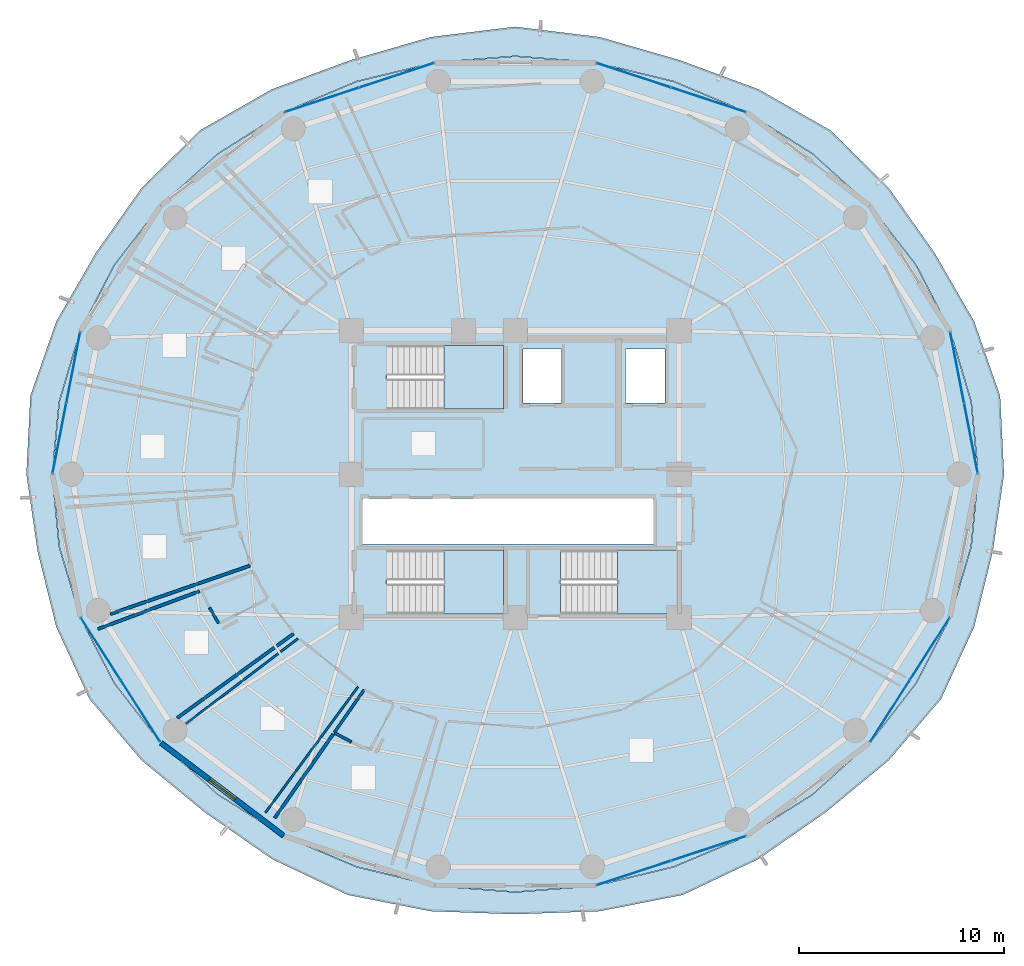
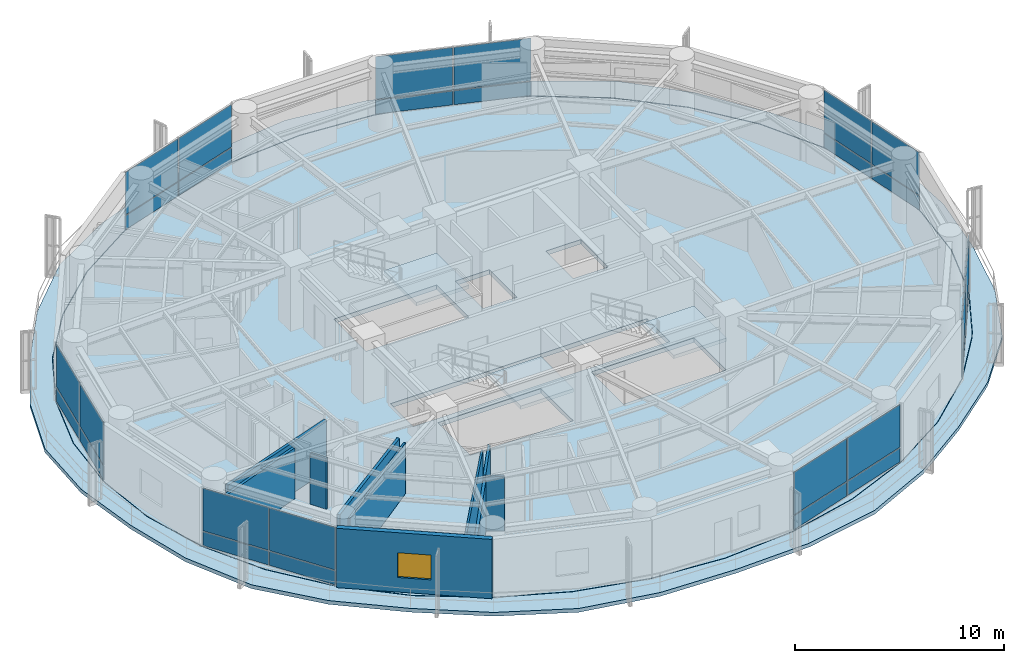
# One storey, part 20 of 27: 28 plates, 10 walls, 5 slabs, 1 window, 1 opening, 10 elements without a shape of their own.
"""IFC4 building model written with IfcOpenShell, lengths in metres."""

from ifc_helpers import new_model, si_unit, direction, frame, frame_2d, origin, origin_2d, place, context, subcontext, project, spatial, polyline, rectangle, outline, extrude, source, transform, mapped, material, layer, layer_set, type_object, element, fill, aggregate, save


model = new_model("IFC4")

# Units and contexts
model_context = context("Model", 3, precision=1e-05, world=origin(), true_north=direction((0.0, 1.0)))
body_context = subcontext(model_context, "Body", "Model", "MODEL_VIEW")
ifc_project = project(units=[si_unit("LENGTHUNIT", "METRE"), si_unit("AREAUNIT", "SQUARE_METRE"), si_unit("VOLUMEUNIT", "CUBIC_METRE"), si_unit("PLANEANGLEUNIT", "RADIAN"), si_unit("MASSUNIT", "GRAM", prefix="KILO")], contexts=[model_context])

# Site, building, storey
site_placement = place(None, origin())
site = spatial("IfcSite", under=ifc_project, at=site_placement, CompositionType="ELEMENT")
building_placement = place(site_placement, origin())
building = spatial("IfcBuilding", under=site, at=building_placement, Name="Kelanora Arch Commons", CompositionType="ELEMENT")
storey_placement = place(building_placement, frame((0.0, 0.0, 143.10009765625)))
storey = spatial("IfcBuildingStorey", under=building, at=storey_placement, Name="L36", CompositionType="ELEMENT", Elevation=143.10009765625)

# Stair, slab
ifc_material_1 = material(Name="Concrete C40/50", Category="concrete")
stair_type = type_object("IfcStairType", Name="STR-DL-375", PredefinedType="HALF_TURN_STAIR", material=ifc_material_1)
stair_1_placement = place(storey_placement, origin())
stair_1 = element("IfcStair", 1, at=stair_1_placement, inside=storey, type_object=stair_type, Name="L36 ST-T1", PredefinedType="HALF_TURN_STAIR")
ifc_layer_1 = layer(ifc_material_1, 0.199951171875)
ifc_layer_set_1 = layer_set([ifc_layer_1], Name="Concrete C40/50")
slab_type_1 = type_object("IfcSlabType", Name="SLB-STAIR-LND", PredefinedType="LANDING", material=ifc_layer_set_1)
slab_1_placement = place(storey_placement, frame((0.0, 0.0, 1.6748046875)))
slab_1 = element("IfcSlab", 2, at=slab_1_placement, type_object=slab_type_1, Name="ST-T1 landing 1", PredefinedType="LANDING", context=body_context, shape_type="SweptSolid", body=[
    extrude(outline(polyline([(70.52001953125, 61.179931640625), (73.43994140625, 61.179931640625), (73.43994140625, 64.2900390625), (70.52001953125, 64.2900390625), (70.52001953125, 61.179931640625)])), origin(), (0.0, 0.0, 1.0), 0.2001953125),
])
aggregate(stair_1, [slab_1])

stair_2_placement = place(storey_placement, origin())
stair_2 = element("IfcStair", 3, at=stair_2_placement, inside=storey, type_object=stair_type, Name="L36 ST-T2", PredefinedType="HALF_TURN_STAIR")
slab_2_placement = place(storey_placement, frame((0.0, 0.0, 1.6748046875)))
slab_2 = element("IfcSlab", 4, at=slab_2_placement, type_object=slab_type_1, Name="ST-T2 landing 1", PredefinedType="LANDING", context=body_context, shape_type="SweptSolid", body=[
    extrude(outline(polyline([(79.0, 51.179931640625), (81.919921875, 51.179931640625), (81.919921875, 54.2900390625), (79.0, 54.2900390625), (79.0, 51.179931640625)])), origin(), (0.0, 0.0, 1.0), 0.2001953125),
])
aggregate(stair_2, [slab_2])

stair_3_placement = place(storey_placement, origin())
stair_3 = element("IfcStair", 5, at=stair_3_placement, inside=storey, type_object=stair_type, Name="L36 ST-T3", PredefinedType="HALF_TURN_STAIR")
slab_3_placement = place(storey_placement, frame((0.0, 0.0, 1.6748046875)))
slab_3 = element("IfcSlab", 6, at=slab_3_placement, type_object=slab_type_1, Name="ST-T3 landing 1", PredefinedType="LANDING", context=body_context, shape_type="SweptSolid", body=[
    extrude(outline(polyline([(70.52001953125, 51.179931640625), (73.43994140625, 51.179931640625), (73.43994140625, 54.2900390625), (70.52001953125, 54.2900390625), (70.52001953125, 51.179931640625)])), origin(), (0.0, 0.0, 1.0), 0.2001953125),
])
aggregate(stair_3, [slab_3])

# Slabs
ifc_layer_2 = layer(ifc_material_1, 0.260009765625)
ifc_layer_set_2 = layer_set([ifc_layer_2], Name="Concrete C40/50")
slab_type_2 = type_object("IfcSlabType", Name="SLB-TWR-TYP", PredefinedType="FLOOR", material=ifc_layer_set_2)
slab_4_placement = place(storey_placement, frame((0.0, 0.0, -0.260009765625)))
element("IfcSlab", 7, at=slab_4_placement, inside=storey, type_object=slab_type_2, Name="Tower Floor Slab L36", PredefinedType="FLOOR", context=body_context, shape_type="SweptSolid", body=[
    extrude(outline(polyline([(96.60009765625, 58.0), (96.256591796875, 61.54248046875), (95.237060546875, 64.977294921875), (93.572265625, 68.199951171875), (91.3125, 71.11279296875), (88.527099609375, 73.627197265625), (85.300048828125, 75.6669921875), (81.729736328125, 77.169677734375), (77.92431640625, 78.090087890625), (74.0, 78.39990234375), (70.07568359375, 78.090087890625), (66.270263671875, 77.169677734375), (62.699951171875, 75.6669921875), (59.472900390625, 73.627197265625), (56.6875, 71.11279296875), (54.427734375, 68.199951171875), (52.762939453125, 64.977294921875), (51.743408203125, 61.54248046875), (51.39990234375, 58.0), (51.743408203125, 54.45751953125), (52.762939453125, 51.022705078125), (54.427734375, 47.800048828125), (56.6875, 44.88720703125), (59.472900390625, 42.372802734375), (62.699951171875, 40.3330078125), (66.270263671875, 38.830322265625), (70.07568359375, 37.909912109375), (74.0, 37.60009765625), (77.92431640625, 37.909912109375), (81.729736328125, 38.830322265625), (85.300048828125, 40.3330078125), (88.527099609375, 42.372802734375), (91.3125, 44.88720703125), (93.572265625, 47.800048828125), (95.237060546875, 51.022705078125), (96.256591796875, 54.45751953125), (96.60009765625, 58.0)]), holes=[polyline([(73.431884765625, 51.18798828125), (67.72802734375, 51.18798828125), (67.72802734375, 54.281982421875), (73.431884765625, 54.281982421875), (73.431884765625, 51.18798828125)]), polyline([(76.2080078125, 51.18798828125), (76.2080078125, 54.281982421875), (81.912109375, 54.281982421875), (81.912109375, 51.18798828125), (76.2080078125, 51.18798828125)]), polyline([(66.550048828125, 54.60009765625), (66.550048828125, 56.800048828125), (80.75, 56.800048828125), (80.75, 54.60009765625), (66.550048828125, 54.60009765625)]), polyline([(73.431884765625, 61.18798828125), (67.72802734375, 61.18798828125), (67.72802734375, 64.281982421875), (73.431884765625, 64.281982421875), (73.431884765625, 61.18798828125)]), polyline([(74.3798828125, 61.47998046875), (74.3798828125, 64.1201171875), (76.260009765625, 64.1201171875), (76.260009765625, 61.47998046875), (74.3798828125, 61.47998046875)]), polyline([(79.3798828125, 61.47998046875), (79.3798828125, 64.1201171875), (81.320068359375, 64.1201171875), (81.320068359375, 61.47998046875), (79.3798828125, 61.47998046875)])]), origin(), (0.0, 0.0, 1.0), 0.260009765625),
])
ifc_layer_3 = layer(ifc_material_1, 0.219970703125)
ifc_layer_set_3 = layer_set([ifc_layer_3], Name="Concrete C40/50")
slab_type_3 = type_object("IfcSlabType", Name="SLB-WAVE-BAL", PredefinedType="FLOOR", material=ifc_layer_set_3)
slab_5_placement = place(storey_placement, frame((0.0, 0.0, -0.22021484375)))
element("IfcSlab", 8, at=slab_5_placement, inside=storey, type_object=slab_type_3, Name="Sinusoidal Wave Balcony Slab L36", PredefinedType="FLOOR", context=body_context, shape_type="SweptSolid", body=[
    extrude(outline(polyline([(97.869873046875, 58.0), (97.6796875, 61.8203125), (96.414794921875, 65.4521484375), (94.490234375, 68.787109375), (92.24267578125, 71.977294921875), (89.40234375, 74.782958984375), (85.886962890625, 76.79296875), (82.06982421875, 78.205078125), (78.1240234375, 79.343994140625), (74.0, 79.849853515625), (69.8759765625, 79.343994140625), (65.93017578125, 78.205078125), (62.113037109375, 76.79296875), (58.59765625, 74.782958984375), (55.75732421875, 71.977294921875), (53.509765625, 68.787109375), (51.585205078125, 65.4521484375), (50.3203125, 61.8203125), (50.130126953125, 58.0), (50.673583984375, 54.24853515625), (51.585205078125, 50.5478515625), (53.20654296875, 47.018798828125), (55.75732421875, 44.022705078125), (58.81494140625, 41.50390625), (62.113037109375, 39.20703125), (65.81787109375, 37.452880859375), (69.8759765625, 36.656005859375), (74.0, 36.51025390625), (78.1240234375, 36.656005859375), (82.18212890625, 37.452880859375), (85.886962890625, 39.20703125), (89.18505859375, 41.50390625), (92.24267578125, 44.022705078125), (94.79345703125, 47.018798828125), (96.414794921875, 50.5478515625), (97.326416015625, 54.24853515625), (97.869873046875, 58.0)]), holes=[polyline([(96.2763671875, 54.4541015625), (95.255859375, 51.015869140625), (93.589599609375, 47.7900390625), (91.327880859375, 44.874267578125), (88.539794921875, 42.357421875), (85.31005859375, 40.31591796875), (81.736572265625, 38.8115234375), (77.927978515625, 37.89013671875), (74.0, 37.580078125), (70.072021484375, 37.89013671875), (66.263427734375, 38.8115234375), (62.68994140625, 40.31591796875), (59.460205078125, 42.357421875), (56.672119140625, 44.874267578125), (54.410400390625, 47.7900390625), (52.744140625, 51.015869140625), (51.7236328125, 54.4541015625), (51.3798828125, 58.0), (51.7236328125, 61.5458984375), (52.744140625, 64.984130859375), (54.410400390625, 68.2099609375), (56.672119140625, 71.125732421875), (59.460205078125, 73.642578125), (62.68994140625, 75.68408203125), (66.263427734375, 77.1884765625), (70.072021484375, 78.10986328125), (74.0, 78.419921875), (77.927978515625, 78.10986328125), (81.736572265625, 77.1884765625), (85.31005859375, 75.68408203125), (88.539794921875, 73.642578125), (91.327880859375, 71.125732421875), (93.589599609375, 68.2099609375), (95.255859375, 64.984130859375), (96.2763671875, 61.5458984375), (96.6201171875, 58.0), (96.2763671875, 54.4541015625)])]), origin(), (0.0, 0.0, 1.0), 0.22021484375),
])

# Curtain wall, plates
ifc_material_2 = material(Name="Terracotta ceramic-fritted low-E glass and aluminium", Category="masonry")
ifc_layer_4 = layer(ifc_material_2, 0.175048828125)
ifc_layer_set_4 = layer_set([ifc_layer_4], Name="Terracotta ceramic-fritted low-E glass and aluminium")
curtain_wall_type = type_object("IfcCurtainWallType", Name="CW-SYS-02", PredefinedType="NOTDEFINED", material=ifc_layer_set_4)
curtain_wall_1_placement = place(storey_placement, origin())
curtain_wall_1 = element("IfcCurtainWall", 9, at=curtain_wall_1_placement, inside=storey, type_object=curtain_wall_type, Name="Unitised Curtain Wall L36-B00", PredefinedType="NOTDEFINED")
ifc_material_3 = material(Name="Terracotta ceramic-fritted double glazing", Category="masonry")
ifc_layer_5 = layer(ifc_material_3, 0.028076171875)
ifc_layer_set_5 = layer_set([ifc_layer_5], Name="Terracotta ceramic-fritted double glazing")
plate_type = type_object("IfcPlateType", Name="CWP-FRIT", PredefinedType="CURTAIN_PANEL", material=ifc_layer_set_5)
shared_shape_1 = source(origin(), body_context, "Body", "SweptSolid", [
    extrude(rectangle(XDim=3.449462890625, YDim=0.028076171875, at=origin_2d()), origin(), (0.0, 0.0, 1.0), 0.81005859375),
])
plate_1_placement = place(storey_placement, frame((96.2548828125, 59.766357421875, 0.059814453125), z_axis=(0.0, 0.0, 1.0), x_axis=(-0.191705182375, 0.981452557718, 0.0)))
plate_1 = element("IfcPlate", 10, at=plate_1_placement, type_object=plate_type, Name="CW-02 panel 1.1", PredefinedType="CURTAIN_PANEL", context=body_context, shape_type="MappedRepresentation", body=[
    mapped(shared_shape_1, transform((0.0, 0.0, 0.0), scale=1.0)),
])
plate_2_placement = place(storey_placement, frame((95.58203125, 63.2109375, 0.059814453125), z_axis=(0.0, 0.0, 1.0), x_axis=(-0.191705182375, 0.981452557718, 0.0)))
plate_2 = element("IfcPlate", 11, at=plate_2_placement, type_object=plate_type, Name="CW-02 panel 2.1", PredefinedType="CURTAIN_PANEL", context=body_context, shape_type="MappedRepresentation", body=[
    mapped(shared_shape_1, transform((0.0, 0.0, 0.0), scale=1.0)),
])

curtain_wall_2_placement = place(storey_placement, origin())
curtain_wall_2 = element("IfcCurtainWall", 12, at=curtain_wall_2_placement, inside=storey, type_object=curtain_wall_type, Name="Unitised Curtain Wall L36-B08", PredefinedType="NOTDEFINED")
plate_3_placement = place(storey_placement, frame((52.41796875, 63.2109375, 0.059814453125), z_axis=(0.0, 0.0, 1.0), x_axis=(-0.191705182375, -0.981452557718, 0.0)))
plate_3 = element("IfcPlate", 13, at=plate_3_placement, type_object=plate_type, Name="CW-02 panel 1.1", PredefinedType="CURTAIN_PANEL", context=body_context, shape_type="MappedRepresentation", body=[
    mapped(shared_shape_1, transform((0.0, 0.0, 0.0), scale=1.0)),
])
plate_4_placement = place(storey_placement, frame((51.7451171875, 59.766357421875, 0.059814453125), z_axis=(0.0, 0.0, 1.0), x_axis=(-0.191705182375, -0.981452557718, 0.0)))
plate_4 = element("IfcPlate", 14, at=plate_4_placement, type_object=plate_type, Name="CW-02 panel 2.1", PredefinedType="CURTAIN_PANEL", context=body_context, shape_type="MappedRepresentation", body=[
    mapped(shared_shape_1, transform((0.0, 0.0, 0.0), scale=1.0)),
])

# Plate
shared_shape_2 = source(origin(), body_context, "Body", "SweptSolid", [
    extrude(rectangle(XDim=3.449462890625, YDim=0.028076171875, at=origin_2d()), origin(), (0.0, 0.0, 1.0), 2.485107421875),
])
plate_5_placement = place(storey_placement, frame((96.2548828125, 59.766357421875, 0.9296875), z_axis=(0.0, 0.0, 1.0), x_axis=(-0.191705182375, 0.981452557718, 0.0)))
plate_5 = element("IfcPlate", 15, at=plate_5_placement, type_object=plate_type, Name="CW-02 panel 1.2", PredefinedType="CURTAIN_PANEL", context=body_context, shape_type="MappedRepresentation", body=[
    mapped(shared_shape_2, transform((0.0, 0.0, 0.0), scale=1.0)),
])

plate_6_placement = place(storey_placement, frame((95.58203125, 63.2109375, 0.9296875), z_axis=(0.0, 0.0, 1.0), x_axis=(-0.191705182375, 0.981452557718, 0.0)))
plate_6 = element("IfcPlate", 16, at=plate_6_placement, type_object=plate_type, Name="CW-02 panel 2.2", PredefinedType="CURTAIN_PANEL", context=body_context, shape_type="MappedRepresentation", body=[
    mapped(shared_shape_2, transform((0.0, 0.0, 0.0), scale=1.0)),
])

aggregate(curtain_wall_1, [plate_1, plate_5, plate_2, plate_6])

plate_7_placement = place(storey_placement, frame((52.41796875, 63.2109375, 0.9296875), z_axis=(0.0, 0.0, 1.0), x_axis=(-0.191705182375, -0.981452557718, 0.0)))
plate_7 = element("IfcPlate", 17, at=plate_7_placement, type_object=plate_type, Name="CW-02 panel 1.2", PredefinedType="CURTAIN_PANEL", context=body_context, shape_type="MappedRepresentation", body=[
    mapped(shared_shape_2, transform((0.0, 0.0, 0.0), scale=1.0)),
])

plate_8_placement = place(storey_placement, frame((51.7451171875, 59.766357421875, 0.9296875), z_axis=(0.0, 0.0, 1.0), x_axis=(-0.191705182375, -0.981452557718, 0.0)))
plate_8 = element("IfcPlate", 18, at=plate_8_placement, type_object=plate_type, Name="CW-02 panel 2.2", PredefinedType="CURTAIN_PANEL", context=body_context, shape_type="MappedRepresentation", body=[
    mapped(shared_shape_2, transform((0.0, 0.0, 0.0), scale=1.0)),
])

aggregate(curtain_wall_2, [plate_3, plate_7, plate_4, plate_8])

# Curtain wall, plates
curtain_wall_3_placement = place(storey_placement, origin())
curtain_wall_3 = element("IfcCurtainWall", 19, at=curtain_wall_3_placement, inside=storey, type_object=curtain_wall_type, Name="Unitised Curtain Wall L36-B03", PredefinedType="NOTDEFINED")
shared_shape_3 = source(origin(), body_context, "Body", "SweptSolid", [
    extrude(rectangle(XDim=3.776611328125, YDim=0.028076171875, at=origin_2d()), origin(), (0.0, 0.0, 1.0), 0.81005859375),
])
plate_9_placement = place(storey_placement, frame((83.434814453125, 76.27978515625, 0.059814453125), z_axis=(0.0, 0.0, 1.0), x_axis=(-0.95003996605, 0.312128279571, 0.0)))
plate_9 = element("IfcPlate", 20, at=plate_9_placement, type_object=plate_type, Name="CW-02 panel 1.1", PredefinedType="CURTAIN_PANEL", context=body_context, shape_type="MappedRepresentation", body=[
    mapped(shared_shape_3, transform((0.0, 0.0, 0.0), scale=1.0)),
])
plate_10_placement = place(storey_placement, frame((79.789794921875, 77.477294921875, 0.059814453125), z_axis=(0.0, 0.0, 1.0), x_axis=(-0.95003996605, 0.312128279571, 0.0)))
plate_10 = element("IfcPlate", 21, at=plate_10_placement, type_object=plate_type, Name="CW-02 panel 2.1", PredefinedType="CURTAIN_PANEL", context=body_context, shape_type="MappedRepresentation", body=[
    mapped(shared_shape_3, transform((0.0, 0.0, 0.0), scale=1.0)),
])

curtain_wall_4_placement = place(storey_placement, origin())
curtain_wall_4 = element("IfcCurtainWall", 22, at=curtain_wall_4_placement, inside=storey, type_object=curtain_wall_type, Name="Unitised Curtain Wall L36-B05", PredefinedType="NOTDEFINED")
plate_11_placement = place(storey_placement, frame((68.210205078125, 77.477294921875, 0.059814453125), z_axis=(0.0, 0.0, 1.0), x_axis=(-0.95003996605, -0.312128279571, 0.0)))
plate_11 = element("IfcPlate", 23, at=plate_11_placement, type_object=plate_type, Name="CW-02 panel 1.1", PredefinedType="CURTAIN_PANEL", context=body_context, shape_type="MappedRepresentation", body=[
    mapped(shared_shape_3, transform((0.0, 0.0, 0.0), scale=1.0)),
])
plate_12_placement = place(storey_placement, frame((64.565185546875, 76.27978515625, 0.059814453125), z_axis=(0.0, 0.0, 1.0), x_axis=(-0.95003996605, -0.312128279571, 0.0)))
plate_12 = element("IfcPlate", 24, at=plate_12_placement, type_object=plate_type, Name="CW-02 panel 2.1", PredefinedType="CURTAIN_PANEL", context=body_context, shape_type="MappedRepresentation", body=[
    mapped(shared_shape_3, transform((0.0, 0.0, 0.0), scale=1.0)),
])

curtain_wall_5_placement = place(storey_placement, origin())
curtain_wall_5 = element("IfcCurtainWall", 25, at=curtain_wall_5_placement, inside=storey, type_object=curtain_wall_type, Name="Unitised Curtain Wall L36-B14", PredefinedType="NOTDEFINED")
plate_13_placement = place(storey_placement, frame((79.789794921875, 38.522705078125, 0.059814453125), z_axis=(0.0, 0.0, 1.0), x_axis=(0.95003996605, 0.312128279571, 0.0)))
plate_13 = element("IfcPlate", 26, at=plate_13_placement, type_object=plate_type, Name="CW-02 panel 1.1", PredefinedType="CURTAIN_PANEL", context=body_context, shape_type="MappedRepresentation", body=[
    mapped(shared_shape_3, transform((0.0, 0.0, 0.0), scale=1.0)),
])
plate_14_placement = place(storey_placement, frame((83.434814453125, 39.72021484375, 0.059814453125), z_axis=(0.0, 0.0, 1.0), x_axis=(0.95003996605, 0.312128279571, 0.0)))
plate_14 = element("IfcPlate", 27, at=plate_14_placement, type_object=plate_type, Name="CW-02 panel 2.1", PredefinedType="CURTAIN_PANEL", context=body_context, shape_type="MappedRepresentation", body=[
    mapped(shared_shape_3, transform((0.0, 0.0, 0.0), scale=1.0)),
])

# Plate
shared_shape_4 = source(origin(), body_context, "Body", "SweptSolid", [
    extrude(rectangle(XDim=3.776611328125, YDim=0.028076171875, at=origin_2d()), origin(), (0.0, 0.0, 1.0), 2.485107421875),
])
plate_15_placement = place(storey_placement, frame((83.434814453125, 76.27978515625, 0.9296875), z_axis=(0.0, 0.0, 1.0), x_axis=(-0.95003996605, 0.312128279571, 0.0)))
plate_15 = element("IfcPlate", 28, at=plate_15_placement, type_object=plate_type, Name="CW-02 panel 1.2", PredefinedType="CURTAIN_PANEL", context=body_context, shape_type="MappedRepresentation", body=[
    mapped(shared_shape_4, transform((0.0, 0.0, 0.0), scale=1.0)),
])

plate_16_placement = place(storey_placement, frame((79.789794921875, 77.477294921875, 0.9296875), z_axis=(0.0, 0.0, 1.0), x_axis=(-0.95003996605, 0.312128279571, 0.0)))
plate_16 = element("IfcPlate", 29, at=plate_16_placement, type_object=plate_type, Name="CW-02 panel 2.2", PredefinedType="CURTAIN_PANEL", context=body_context, shape_type="MappedRepresentation", body=[
    mapped(shared_shape_4, transform((0.0, 0.0, 0.0), scale=1.0)),
])

aggregate(curtain_wall_3, [plate_9, plate_15, plate_10, plate_16])

plate_17_placement = place(storey_placement, frame((68.210205078125, 77.477294921875, 0.9296875), z_axis=(0.0, 0.0, 1.0), x_axis=(-0.95003996605, -0.312128279571, 0.0)))
plate_17 = element("IfcPlate", 30, at=plate_17_placement, type_object=plate_type, Name="CW-02 panel 1.2", PredefinedType="CURTAIN_PANEL", context=body_context, shape_type="MappedRepresentation", body=[
    mapped(shared_shape_4, transform((0.0, 0.0, 0.0), scale=1.0)),
])

plate_18_placement = place(storey_placement, frame((64.565185546875, 76.27978515625, 0.9296875), z_axis=(0.0, 0.0, 1.0), x_axis=(-0.95003996605, -0.312128279571, 0.0)))
plate_18 = element("IfcPlate", 31, at=plate_18_placement, type_object=plate_type, Name="CW-02 panel 2.2", PredefinedType="CURTAIN_PANEL", context=body_context, shape_type="MappedRepresentation", body=[
    mapped(shared_shape_4, transform((0.0, 0.0, 0.0), scale=1.0)),
])

aggregate(curtain_wall_4, [plate_11, plate_17, plate_12, plate_18])

plate_19_placement = place(storey_placement, frame((79.789794921875, 38.522705078125, 0.9296875), z_axis=(0.0, 0.0, 1.0), x_axis=(0.95003996605, 0.312128279571, 0.0)))
plate_19 = element("IfcPlate", 32, at=plate_19_placement, type_object=plate_type, Name="CW-02 panel 1.2", PredefinedType="CURTAIN_PANEL", context=body_context, shape_type="MappedRepresentation", body=[
    mapped(shared_shape_4, transform((0.0, 0.0, 0.0), scale=1.0)),
])

plate_20_placement = place(storey_placement, frame((83.434814453125, 39.72021484375, 0.9296875), z_axis=(0.0, 0.0, 1.0), x_axis=(0.95003996605, 0.312128279571, 0.0)))
plate_20 = element("IfcPlate", 33, at=plate_20_placement, type_object=plate_type, Name="CW-02 panel 2.2", PredefinedType="CURTAIN_PANEL", context=body_context, shape_type="MappedRepresentation", body=[
    mapped(shared_shape_4, transform((0.0, 0.0, 0.0), scale=1.0)),
])

aggregate(curtain_wall_5, [plate_13, plate_19, plate_14, plate_20])

# Curtain wall, plates
curtain_wall_6_placement = place(storey_placement, origin())
curtain_wall_6 = element("IfcCurtainWall", 34, at=curtain_wall_6_placement, inside=storey, type_object=curtain_wall_type, Name="Unitised Curtain Wall L36-B10", PredefinedType="NOTDEFINED")
shared_shape_5 = source(origin(), body_context, "Body", "SweptSolid", [
    extrude(rectangle(XDim=3.53662109375, YDim=0.028076171875, at=origin_2d()), origin(), (0.0, 0.0, 1.0), 0.81005859375),
])
plate_21_placement = place(storey_placement, frame((53.756103515625, 49.469970703125, 0.059814453125), z_axis=(0.0, 0.0, 1.0), x_axis=(0.538816988983, -0.842422846546, 0.0)))
plate_21 = element("IfcPlate", 35, at=plate_21_placement, type_object=plate_type, Name="CW-02 panel 1.1", PredefinedType="CURTAIN_PANEL", context=body_context, shape_type="MappedRepresentation", body=[
    mapped(shared_shape_5, transform((0.0, 0.0, 0.0), scale=1.0)),
])
plate_22_placement = place(storey_placement, frame((55.694091796875, 46.43994140625, 0.059814453125), z_axis=(0.0, 0.0, 1.0), x_axis=(0.538816988983, -0.842422846546, 0.0)))
plate_22 = element("IfcPlate", 36, at=plate_22_placement, type_object=plate_type, Name="CW-02 panel 2.1", PredefinedType="CURTAIN_PANEL", context=body_context, shape_type="MappedRepresentation", body=[
    mapped(shared_shape_5, transform((0.0, 0.0, 0.0), scale=1.0)),
])

curtain_wall_7_placement = place(storey_placement, origin())
curtain_wall_7 = element("IfcCurtainWall", 37, at=curtain_wall_7_placement, inside=storey, type_object=curtain_wall_type, Name="Unitised Curtain Wall L36-B16", PredefinedType="NOTDEFINED")
plate_23_placement = place(storey_placement, frame((92.305908203125, 46.43994140625, 0.059814453125), z_axis=(0.0, 0.0, 1.0), x_axis=(0.538816988983, 0.842422846546, 0.0)))
plate_23 = element("IfcPlate", 38, at=plate_23_placement, type_object=plate_type, Name="CW-02 panel 1.1", PredefinedType="CURTAIN_PANEL", context=body_context, shape_type="MappedRepresentation", body=[
    mapped(shared_shape_5, transform((0.0, 0.0, 0.0), scale=1.0)),
])
plate_24_placement = place(storey_placement, frame((94.243896484375, 49.469970703125, 0.059814453125), z_axis=(0.0, 0.0, 1.0), x_axis=(0.538816988983, 0.842422846546, 0.0)))
plate_24 = element("IfcPlate", 39, at=plate_24_placement, type_object=plate_type, Name="CW-02 panel 2.1", PredefinedType="CURTAIN_PANEL", context=body_context, shape_type="MappedRepresentation", body=[
    mapped(shared_shape_5, transform((0.0, 0.0, 0.0), scale=1.0)),
])

# Plate
shared_shape_6 = source(origin(), body_context, "Body", "SweptSolid", [
    extrude(rectangle(XDim=3.53662109375, YDim=0.028076171875, at=origin_2d()), origin(), (0.0, 0.0, 1.0), 2.485107421875),
])
plate_25_placement = place(storey_placement, frame((53.756103515625, 49.469970703125, 0.9296875), z_axis=(0.0, 0.0, 1.0), x_axis=(0.538816988983, -0.842422846546, 0.0)))
plate_25 = element("IfcPlate", 40, at=plate_25_placement, type_object=plate_type, Name="CW-02 panel 1.2", PredefinedType="CURTAIN_PANEL", context=body_context, shape_type="MappedRepresentation", body=[
    mapped(shared_shape_6, transform((0.0, 0.0, 0.0), scale=1.0)),
])

plate_26_placement = place(storey_placement, frame((55.694091796875, 46.43994140625, 0.9296875), z_axis=(0.0, 0.0, 1.0), x_axis=(0.538816988983, -0.842422846546, 0.0)))
plate_26 = element("IfcPlate", 41, at=plate_26_placement, type_object=plate_type, Name="CW-02 panel 2.2", PredefinedType="CURTAIN_PANEL", context=body_context, shape_type="MappedRepresentation", body=[
    mapped(shared_shape_6, transform((0.0, 0.0, 0.0), scale=1.0)),
])

aggregate(curtain_wall_6, [plate_21, plate_25, plate_22, plate_26])

plate_27_placement = place(storey_placement, frame((92.305908203125, 46.43994140625, 0.9296875), z_axis=(0.0, 0.0, 1.0), x_axis=(0.538816988983, 0.842422846546, 0.0)))
plate_27 = element("IfcPlate", 42, at=plate_27_placement, type_object=plate_type, Name="CW-02 panel 1.2", PredefinedType="CURTAIN_PANEL", context=body_context, shape_type="MappedRepresentation", body=[
    mapped(shared_shape_6, transform((0.0, 0.0, 0.0), scale=1.0)),
])

plate_28_placement = place(storey_placement, frame((94.243896484375, 49.469970703125, 0.9296875), z_axis=(0.0, 0.0, 1.0), x_axis=(0.538816988983, 0.842422846546, 0.0)))
plate_28 = element("IfcPlate", 43, at=plate_28_placement, type_object=plate_type, Name="CW-02 panel 2.2", PredefinedType="CURTAIN_PANEL", context=body_context, shape_type="MappedRepresentation", body=[
    mapped(shared_shape_6, transform((0.0, 0.0, 0.0), scale=1.0)),
])

aggregate(curtain_wall_7, [plate_23, plate_27, plate_24, plate_28])

# Walls
ifc_material_4 = material(Name="Autoclaved aerated concrete blockwork with fire plaster", Category="masonry")
ifc_layer_6 = layer(ifc_material_4, 0.14990234375)
ifc_layer_set_6 = layer_set([ifc_layer_6], Name="Autoclaved aerated concrete blockwork with fire plaster")
wall_type_1 = type_object("IfcWallType", Name="W-COMP-150", PredefinedType="PARTITIONING", material=ifc_layer_set_6)
wall_1_placement = place(storey_placement, frame((61.05126953125, 53.531982421875, 0.0), z_axis=(0.0, 0.0, 1.0), x_axis=(-0.944870237137, -0.327445010608, 0.0)))
element("IfcWall", 44, at=wall_1_placement, inside=storey, type_object=wall_type_1, Name="Cluster Bedroom L36-05 Enclosure Partition 2", PredefinedType="PARTITIONING", context=body_context, shape_type="SweptSolid", body=[
    extrude(rectangle(XDim=7.22021484375, YDim=0.14990234375, at=frame_2d((3.610107421875, 0.0))), origin(), (0.0, 0.0, 1.0), 2.974853515625),
])
wall_2_placement = place(storey_placement, frame((63.174560546875, 50.20458984375, 0.0), z_axis=(0.0, 0.0, 1.0), x_axis=(-0.810227225477, -0.586115895618, 0.0)))
element("IfcWall", 45, at=wall_2_placement, inside=storey, type_object=wall_type_1, Name="Cluster Bedroom L36-06 Enclosure Partition 2", PredefinedType="PARTITIONING", context=body_context, shape_type="SweptSolid", body=[
    extrude(rectangle(XDim=7.01123046875, YDim=0.14990234375, at=frame_2d((3.505615234375, 0.0))), origin(), (0.0, 0.0, 1.0), 3.1748046875),
])
wall_3_placement = place(storey_placement, frame((53.62353515625, 50.43798828125, 0.0), z_axis=(0.0, 0.0, 1.0), x_axis=(0.937175901168, 0.348857177468, 0.0)))
element("IfcWall", 46, at=wall_3_placement, inside=storey, type_object=wall_type_1, Name="Cluster Bedroom L36-06 Enclosure Partition 5", PredefinedType="PARTITIONING", context=body_context, shape_type="SweptSolid", body=[
    extrude(rectangle(XDim=5.29150390625, YDim=0.14990234375, at=frame_2d((2.645751953125, 0.0))), origin(), (0.0, 0.0, 1.0), 2.974853515625),
])
wall_4_placement = place(storey_placement, frame((62.2568359375, 41.210693359375, 0.0), z_axis=(0.0, 0.0, 1.0), x_axis=(0.572125752908, 0.820165911789, 0.0)))
element("IfcWall", 47, at=wall_4_placement, inside=storey, type_object=wall_type_1, Name="Cluster Bedroom L36-08 Enclosure Partition 5", PredefinedType="PARTITIONING", context=body_context, shape_type="SweptSolid", body=[
    extrude(rectangle(XDim=4.9921875, YDim=0.14990234375, at=frame_2d((2.49609375, 0.0))), origin(), (0.0, 0.0, 1.0), 2.974853515625),
])

# Wall, opening, window
ifc_material_5 = material(Name="Precast concrete C40/50 with terracotta rainscreen", Category="masonry")
ifc_layer_7 = layer(ifc_material_5, 0.260009765625)
ifc_layer_set_7 = layer_set([ifc_layer_7], Name="Precast concrete C40/50 with terracotta rainscreen")
wall_type_2 = type_object("IfcWallType", Name="W-EXT-TC", PredefinedType="SOLIDWALL", material=ifc_layer_set_7)
wall_5_placement = place(storey_placement, frame((56.699462890625, 44.8779296875, 0.0), z_axis=(0.0, 0.0, 1.0), x_axis=(0.797163719609, -0.603763202042, 0.0)))
wall_5 = element("IfcWall", 48, at=wall_5_placement, inside=storey, type_object=wall_type_2, Name="Terracotta Exterior Wall L36-B11", PredefinedType="SOLIDWALL", context=body_context, shape_type="SweptSolid", body=[
    extrude(rectangle(XDim=7.51220703125, YDim=0.260009765625, at=frame_2d((3.756103515625, 0.0))), origin(), (0.0, 0.0, 1.0), 3.474853515625),
])
opening_placement = place(wall_5_placement, frame((2.9560546875, 0.0, 0.85009765625)))
opening = element("IfcOpeningElement", 49, at=opening_placement, cuts=wall_5, Name="Opening WN-01", PredefinedType="OPENING", context=body_context, shape_type="SweptSolid", body=[
    extrude(rectangle(XDim=1.60009765625, YDim=1.449951171875, at=frame_2d((0.800048828125, 0.72509765625))), frame((0.0, 0.14013671875, 0.0), z_axis=(0.0, -1.0, 0.0), x_axis=(1.0, 0.0, 0.0)), (0.0, 0.0, 1.0), 0.280029296875),
])
ifc_material_6 = material(Name="Terracotta-anodised aluminium frame with operable low-E glazing", Category="masonry")
window_type = type_object("IfcWindowType", Name="WIN-CL-18", PartitioningType="DOUBLE_PANEL_VERTICAL", PredefinedType="WINDOW", material=ifc_material_6)
window_placement = place(opening_placement, origin())
window = element("IfcWindow", 50, at=window_placement, inside=storey, type_object=window_type, Name="Co-Living Operable Window L36-B11", OverallHeight=1.449951171875, OverallWidth=1.60009765625, PartitioningType="SINGLE_PANEL", PredefinedType="WINDOW", context=body_context, shape_type="SweptSolid", body=[
    extrude(rectangle(XDim=1.60009765625, YDim=1.449951171875, at=frame_2d((0.800048828125, 0.72509765625))), frame((0.0, 0.030029296875, 0.0), z_axis=(0.0, -1.0, 0.0), x_axis=(1.0, 0.0, 0.0)), (0.0, 0.0, 1.0), 0.06005859375),
])
fill(opening, window)

# Walls
ifc_material_7 = material(Name="Lightweight fire-rated acoustic stud partition")
ifc_layer_8 = layer(ifc_material_7, 0.10009765625)
ifc_layer_set_8 = layer_set([ifc_layer_8], Name="Lightweight fire-rated acoustic stud partition")
wall_type_3 = type_object("IfcWallType", Name="W-PART-100", PredefinedType="PARTITIONING", material=ifc_layer_set_8)
wall_6_placement = place(storey_placement, frame((66.3232421875, 47.61474609375, 0.0), z_axis=(0.0, 0.0, 1.0), x_axis=(-0.592678959784, -0.805438793845, 0.0)))
element("IfcWall", 51, at=wall_6_placement, inside=storey, type_object=wall_type_3, Name="Social Sky Lounge L36-07 Enclosure Partition 2", PredefinedType="PARTITIONING", context=body_context, shape_type="SweptSolid", body=[
    extrude(rectangle(XDim=7.6240234375, YDim=0.10009765625, at=frame_2d((3.81201171875, 0.0))), origin(), (0.0, 0.0, 1.0), 2.974853515625),
])
wall_7_placement = place(storey_placement, frame((57.92138671875, 45.811279296875, 0.0), z_axis=(0.0, 0.0, 1.0), x_axis=(0.79595600815, 0.60535446896, 0.0)))
element("IfcWall", 52, at=wall_7_placement, inside=storey, type_object=wall_type_3, Name="Social Sky Lounge L36-07 Enclosure Partition 4", PredefinedType="PARTITIONING", context=body_context, shape_type="SweptSolid", body=[
    extrude(rectangle(XDim=6.869384765625, YDim=0.10009765625, at=frame_2d((3.4345703125, 0.0))), origin(), (0.0, 0.0, 1.0), 2.974853515625),
])
ifc_material_8 = material(Name="Moisture-resistant fire-rated cement-board plumbing wall")
ifc_layer_9 = layer(ifc_material_8, 0.1298828125)
ifc_layer_set_9 = layer_set([ifc_layer_9], Name="Moisture-resistant fire-rated cement-board plumbing wall")
wall_type_4 = type_object("IfcWallType", Name="W-WET-120", PredefinedType="PLUMBINGWALL", material=ifc_layer_set_9)
wall_8_placement = place(storey_placement, frame((59.513916015625, 50.72021484375, 0.0), z_axis=(0.0, 0.0, 1.0), x_axis=(-0.501222652689, 0.865318353227, 0.0)))
element("IfcWall", 53, at=wall_8_placement, inside=storey, type_object=wall_type_4, Name="En-Suite Shower WC L36-06 Enclosure Partition 4", PredefinedType="PLUMBINGWALL", context=body_context, shape_type="SweptSolid", body=[
    extrude(rectangle(XDim=0.877685546875, YDim=0.1298828125, at=frame_2d((0.43896484375, 0.0))), origin(), (0.0, 0.0, 1.0), 2.974853515625),
])
wall_9_placement = place(storey_placement, frame((65.996337890625, 44.927490234375, 0.0), z_axis=(0.0, 0.0, 1.0), x_axis=(-0.88373041627, 0.46799631554, 0.0)))
element("IfcWall", 54, at=wall_9_placement, inside=storey, type_object=wall_type_4, Name="En-Suite Shower WC L36-08 Enclosure Partition 5", PredefinedType="PLUMBINGWALL", context=body_context, shape_type="SweptSolid", body=[
    extrude(rectangle(XDim=0.9296875, YDim=0.1298828125, at=frame_2d((0.46484375, 0.0))), origin(), (0.0, 0.0, 1.0), 3.1748046875),
])
wall_10_placement = place(storey_placement, frame((65.16845703125, 45.388427734375, 0.0), z_axis=(0.0, 0.0, 1.0), x_axis=(0.572452908282, 0.819937599943, 0.0)))
element("IfcWall", 55, at=wall_10_placement, inside=storey, type_object=wall_type_4, Name="En-Suite Shower WC L36-08 Enclosure Partition 6", PredefinedType="PLUMBINGWALL", context=body_context, shape_type="SweptSolid", body=[
    extrude(rectangle(XDim=2.533203125, YDim=0.1298828125, at=frame_2d((1.2666015625, 0.0))), origin(), (0.0, 0.0, 1.0), 3.23486328125),
])

save(model, "model.ifc")
